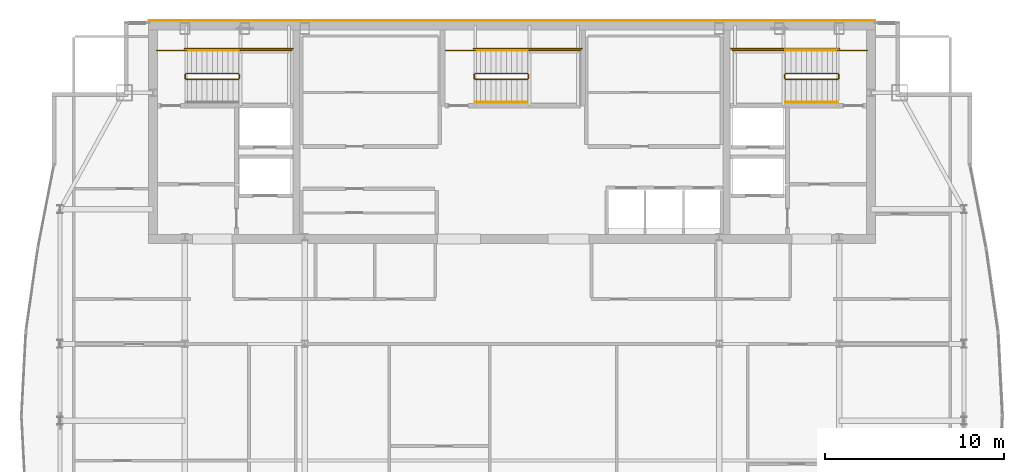
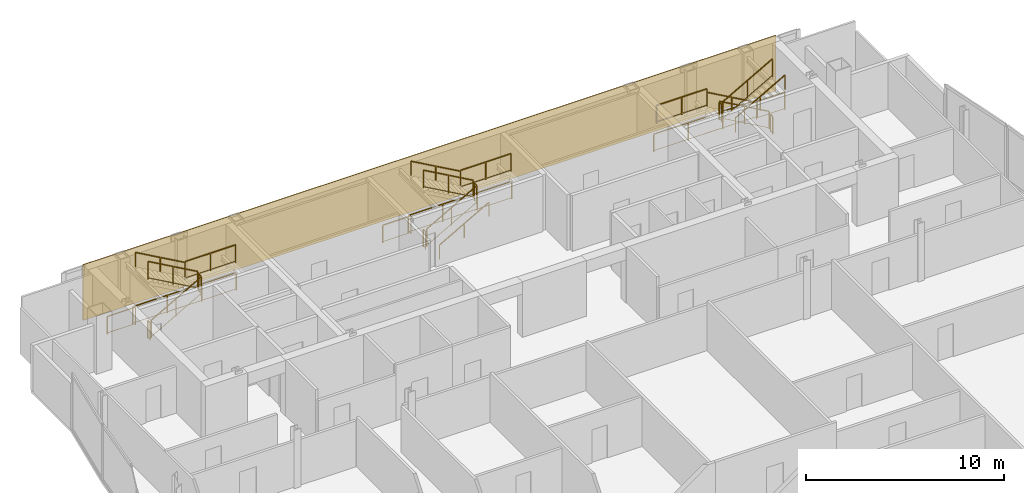
# One storey, part 27 of 27: 26 railings, 1 covering.
"""IFC4 building model written with IfcOpenShell, lengths in metres."""

from ifc_helpers import new_model, si_unit, direction, frame, origin, origin_2d, place, context, subcontext, project, spatial, polyline, rectangle, outline, extrude, material, layer, layer_set, type_object, element, save


model = new_model("IFC4")

# Units and contexts
model_context = context("Model", 3, precision=1e-05, world=origin(), true_north=direction((0.0, 1.0)))
body_context = subcontext(model_context, "Body", "Model", "MODEL_VIEW")
ifc_project = project(units=[si_unit("LENGTHUNIT", "METRE"), si_unit("AREAUNIT", "SQUARE_METRE"), si_unit("VOLUMEUNIT", "CUBIC_METRE"), si_unit("PLANEANGLEUNIT", "RADIAN"), si_unit("MASSUNIT", "GRAM", prefix="KILO")], contexts=[model_context])

# Site, building, storey
site_placement = place(None, origin())
site = spatial("IfcSite", under=ifc_project, at=site_placement, CompositionType="ELEMENT")
building_placement = place(site_placement, origin())
building = spatial("IfcBuilding", under=site, at=building_placement, Name="Khoronbel Lancet Exchange", CompositionType="ELEMENT")
storey_placement = place(building_placement, frame((0.0, 0.0, 332.60009765625)))
storey = spatial("IfcBuildingStorey", under=building, at=storey_placement, Name="L86", CompositionType="ELEMENT", Elevation=332.60009765625)

# Covering
ifc_material_1 = material(Name="Honed Egyptian Limestone & Bronze Rainscreen", Category="masonry")
ifc_layer = layer(ifc_material_1, 0.050048828125, Name="Honed Egyptian Limestone & Bronze Rainscreen")
ifc_layer_set = layer_set([ifc_layer], Name="Honed Egyptian Limestone & Bronze Rainscreen")
covering_type = type_object("IfcCoveringType", Name="COV-CLAD1", PredefinedType="CLADDING", material=ifc_layer_set)
covering_placement = place(storey_placement, origin())
element("IfcCovering", 1, at=covering_placement, inside=storey, type_object=covering_type, Name="Level L86 north rear-core stone and bronze rainscreen cladding", PredefinedType="CLADDING", context=body_context, shape_type="SweptSolid", body=[
    extrude(outline(polyline([(16.199951171875, 53.699951171875), (56.699951171875, 53.699951171875), (56.699951171875, 53.75), (16.199951171875, 53.75), (16.199951171875, 53.699951171875)])), origin(), (0.0, 0.0, 1.0), 3.43994140625),
])

# Railings
ifc_material_2 = material(Name="Painted Steel Balustrade", Category="steel")
railing_type_1 = type_object("IfcRailingType", Name="RL-STG110", PredefinedType="GUARDRAIL", material=ifc_material_2)
railing_1_placement = place(storey_placement, frame((18.300048828125, 50.449951171875, 0.16357421875)))
element("IfcRailing", 2, at=railing_1_placement, inside=storey, type_object=railing_type_1, Name="L86 ST1 stair guard 1", PredefinedType="GUARDRAIL", context=body_context, shape_type="SweptSolid", body=[
    extrude(rectangle(XDim=0.048095703125, YDim=0.048095703125, at=origin_2d()), frame((0.0, 0.0, 1.09619140625), z_axis=(0.870928581787, 0.0, 0.491409610636), x_axis=(0.0, 1.0, 0.0)), (0.0, 0.0, 1.0), 3.32958984375),
    extrude(rectangle(XDim=0.02392578125, YDim=0.02392578125, at=origin_2d()), frame((0.0, 0.0, 0.080078125), z_axis=(0.870928581787, 0.0, 0.491409610636), x_axis=(0.0, 1.0, 0.0)), (0.0, 0.0, 1.0), 3.32958984375),
    extrude(rectangle(XDim=0.0419921875, YDim=0.0419921875, at=origin_2d()), origin(), (0.0, 0.0, 1.0), 1.072021484375),
    extrude(rectangle(XDim=0.0419921875, YDim=0.0419921875, at=origin_2d()), frame((1.449951171875, 0.0, 0.818115234375)), (0.0, 0.0, 1.0), 1.072021484375),
    extrude(rectangle(XDim=0.0419921875, YDim=0.0419921875, at=origin_2d()), frame((2.89990234375, 0.0, 1.63623046875)), (0.0, 0.0, 1.0), 1.072021484375),
])
railing_2_placement = place(storey_placement, frame((21.25, 50.5, 1.7998046875)))
element("IfcRailing", 3, at=railing_2_placement, inside=storey, type_object=railing_type_1, Name="L86 ST1 stair guard 2", PredefinedType="GUARDRAIL", context=body_context, shape_type="SweptSolid", body=[
    extrude(rectangle(XDim=0.048095703125, YDim=0.048095703125, at=origin_2d()), frame((0.0, 0.0, 1.09619140625), z_axis=(0.0, 1.0, 0.0), x_axis=(-1.0, 0.0, 0.0)), (0.0, 0.0, 1.0), 0.219970703125),
    extrude(rectangle(XDim=0.02392578125, YDim=0.02392578125, at=origin_2d()), frame((0.0, 0.0, 0.080078125), z_axis=(0.0, 1.0, 0.0), x_axis=(-1.0, 0.0, 0.0)), (0.0, 0.0, 1.0), 0.219970703125),
    extrude(rectangle(XDim=0.0419921875, YDim=0.0419921875, at=origin_2d()), origin(), (0.0, 0.0, 1.0), 1.072021484375),
    extrude(rectangle(XDim=0.0419921875, YDim=0.0419921875, at=origin_2d()), frame((0.0, 0.219970703125, 0.0)), (0.0, 0.0, 1.0), 1.072021484375),
])
railing_3_placement = place(storey_placement, frame((21.199951171875, 52.050048828125, 1.7998046875)))
element("IfcRailing", 4, at=railing_3_placement, inside=storey, type_object=railing_type_1, Name="L86 ST1 stair guard 3", PredefinedType="GUARDRAIL", context=body_context, shape_type="SweptSolid", body=[
    extrude(rectangle(XDim=0.048095703125, YDim=0.048095703125, at=origin_2d()), frame((0.0, 0.0, 1.09619140625), z_axis=(1.0, 0.0, 0.0), x_axis=(0.0, 1.0, 0.0)), (0.0, 0.0, 1.0), 2.949951171875),
    extrude(rectangle(XDim=0.02392578125, YDim=0.02392578125, at=origin_2d()), frame((0.0, 0.0, 0.080078125), z_axis=(1.0, 0.0, 0.0), x_axis=(0.0, 1.0, 0.0)), (0.0, 0.0, 1.0), 2.949951171875),
    extrude(rectangle(XDim=0.0419921875, YDim=0.0419921875, at=origin_2d()), origin(), (0.0, 0.0, 1.0), 1.072021484375),
    extrude(rectangle(XDim=0.0419921875, YDim=0.0419921875, at=origin_2d()), frame((1.47509765625, 0.0, 0.0)), (0.0, 0.0, 1.0), 1.072021484375),
    extrude(rectangle(XDim=0.0419921875, YDim=0.0419921875, at=origin_2d()), frame((2.949951171875, 0.0, 0.0)), (0.0, 0.0, 1.0), 1.072021484375),
])
railing_4_placement = place(storey_placement, frame((21.199951171875, 50.77001953125, 1.963623046875)))
element("IfcRailing", 5, at=railing_4_placement, inside=storey, type_object=railing_type_1, Name="L86 ST1 stair guard 4", PredefinedType="GUARDRAIL", context=body_context, shape_type="SweptSolid", body=[
    extrude(rectangle(XDim=0.048095703125, YDim=0.048095703125, at=origin_2d()), frame((0.0, 0.0, 1.09619140625), z_axis=(-0.870928581787, 0.0, 0.491409610636), x_axis=(0.0, -1.0, 0.0)), (0.0, 0.0, 1.0), 3.32958984375),
    extrude(rectangle(XDim=0.02392578125, YDim=0.02392578125, at=origin_2d()), frame((0.0, 0.0, 0.080078125), z_axis=(-0.870928581787, 0.0, 0.491409610636), x_axis=(0.0, -1.0, 0.0)), (0.0, 0.0, 1.0), 3.32958984375),
    extrude(rectangle(XDim=0.0419921875, YDim=0.0419921875, at=origin_2d()), origin(), (0.0, 0.0, 1.0), 1.072021484375),
    extrude(rectangle(XDim=0.0419921875, YDim=0.0419921875, at=origin_2d()), frame((-1.449951171875, 0.0, 0.818115234375)), (0.0, 0.0, 1.0), 1.072021484375),
    extrude(rectangle(XDim=0.0419921875, YDim=0.0419921875, at=origin_2d()), frame((-2.89990234375, 0.0, 1.63623046875)), (0.0, 0.0, 1.0), 1.072021484375),
])
railing_5_placement = place(storey_placement, frame((18.25, 50.5, 0.0)))
element("IfcRailing", 6, at=railing_5_placement, inside=storey, type_object=railing_type_1, Name="L86 ST1 stair guard 5", PredefinedType="GUARDRAIL", context=body_context, shape_type="SweptSolid", body=[
    extrude(rectangle(XDim=0.048095703125, YDim=0.048095703125, at=origin_2d()), frame((0.0, 0.0, 1.09619140625), z_axis=(0.0, 1.0, 0.0), x_axis=(-1.0, 0.0, 0.0)), (0.0, 0.0, 1.0), 0.219970703125),
    extrude(rectangle(XDim=0.02392578125, YDim=0.02392578125, at=origin_2d()), frame((0.0, 0.0, 0.080078125), z_axis=(0.0, 1.0, 0.0), x_axis=(-1.0, 0.0, 0.0)), (0.0, 0.0, 1.0), 0.219970703125),
    extrude(rectangle(XDim=0.0419921875, YDim=0.0419921875, at=origin_2d()), origin(), (0.0, 0.0, 1.0), 1.072021484375),
    extrude(rectangle(XDim=0.0419921875, YDim=0.0419921875, at=origin_2d()), frame((0.0, 0.219970703125, 0.0)), (0.0, 0.0, 1.0), 1.072021484375),
])
railing_6_placement = place(storey_placement, frame((16.64990234375, 52.050048828125, 0.0)))
element("IfcRailing", 7, at=railing_6_placement, inside=storey, type_object=railing_type_1, Name="L86 ST1 stair guard 6", PredefinedType="GUARDRAIL", context=body_context, shape_type="SweptSolid", body=[
    extrude(rectangle(XDim=0.048095703125, YDim=0.048095703125, at=origin_2d()), frame((0.0, 0.0, 1.09619140625), z_axis=(1.0, 0.0, 0.0), x_axis=(0.0, 1.0, 0.0)), (0.0, 0.0, 1.0), 1.650146484375),
    extrude(rectangle(XDim=0.02392578125, YDim=0.02392578125, at=origin_2d()), frame((0.0, 0.0, 0.080078125), z_axis=(1.0, 0.0, 0.0), x_axis=(0.0, 1.0, 0.0)), (0.0, 0.0, 1.0), 1.650146484375),
    extrude(rectangle(XDim=0.0419921875, YDim=0.0419921875, at=origin_2d()), origin(), (0.0, 0.0, 1.0), 1.072021484375),
    extrude(rectangle(XDim=0.0419921875, YDim=0.0419921875, at=origin_2d()), frame((1.650146484375, 0.0, 0.0)), (0.0, 0.0, 1.0), 1.072021484375),
])
railing_7_placement = place(storey_placement, frame((18.199951171875, 52.14990234375, 0.0)))
element("IfcRailing", 8, at=railing_7_placement, inside=storey, type_object=railing_type_1, Name="L86 ST1 stair guard 7", PredefinedType="GUARDRAIL", context=body_context, shape_type="SweptSolid", body=[
    extrude(rectangle(XDim=0.048095703125, YDim=0.048095703125, at=origin_2d()), frame((0.0, 0.0, 1.09619140625), z_axis=(1.0, 0.0, 0.0), x_axis=(0.0, 1.0, 0.0)), (0.0, 0.0, 1.0), 6.050048828125),
    extrude(rectangle(XDim=0.02392578125, YDim=0.02392578125, at=origin_2d()), frame((0.0, 0.0, 0.080078125), z_axis=(1.0, 0.0, 0.0), x_axis=(0.0, 1.0, 0.0)), (0.0, 0.0, 1.0), 6.050048828125),
    extrude(rectangle(XDim=0.0419921875, YDim=0.0419921875, at=origin_2d()), origin(), (0.0, 0.0, 1.0), 1.072021484375),
    extrude(rectangle(XDim=0.0419921875, YDim=0.0419921875, at=origin_2d()), frame((2.0166015625, 0.0, 0.0)), (0.0, 0.0, 1.0), 1.072021484375),
    extrude(rectangle(XDim=0.0419921875, YDim=0.0419921875, at=origin_2d()), frame((4.033447265625, 0.0, 0.0)), (0.0, 0.0, 1.0), 1.072021484375),
    extrude(rectangle(XDim=0.0419921875, YDim=0.0419921875, at=origin_2d()), frame((6.050048828125, 0.0, 0.0)), (0.0, 0.0, 1.0), 1.072021484375),
])
railing_8_placement = place(storey_placement, frame((54.60009765625, 50.77001953125, 0.16357421875)))
element("IfcRailing", 9, at=railing_8_placement, inside=storey, type_object=railing_type_1, Name="L86 ST2 stair guard 1", PredefinedType="GUARDRAIL", context=body_context, shape_type="SweptSolid", body=[
    extrude(rectangle(XDim=0.048095703125, YDim=0.048095703125, at=origin_2d()), frame((0.0, 0.0, 1.09619140625), z_axis=(-0.870946286338, 0.0, 0.49137823142), x_axis=(0.0, -1.0, 0.0)), (0.0, 0.0, 1.0), 3.329833984375),
    extrude(rectangle(XDim=0.02392578125, YDim=0.02392578125, at=origin_2d()), frame((0.0, 0.0, 0.080078125), z_axis=(-0.870946286338, 0.0, 0.49137823142), x_axis=(0.0, -1.0, 0.0)), (0.0, 0.0, 1.0), 3.329833984375),
    extrude(rectangle(XDim=0.0419921875, YDim=0.0419921875, at=origin_2d()), origin(), (0.0, 0.0, 1.0), 1.072021484375),
    extrude(rectangle(XDim=0.0419921875, YDim=0.0419921875, at=origin_2d()), frame((-1.4501953125, 0.0, 0.818115234375)), (0.0, 0.0, 1.0), 1.072021484375),
    extrude(rectangle(XDim=0.0419921875, YDim=0.0419921875, at=origin_2d()), frame((-2.900146484375, 0.0, 1.63623046875)), (0.0, 0.0, 1.0), 1.072021484375),
])
railing_9_placement = place(storey_placement, frame((51.64990234375, 50.719970703125, 1.7998046875)))
element("IfcRailing", 10, at=railing_9_placement, inside=storey, type_object=railing_type_1, Name="L86 ST2 stair guard 2", PredefinedType="GUARDRAIL", context=body_context, shape_type="SweptSolid", body=[
    extrude(rectangle(XDim=0.048095703125, YDim=0.048095703125, at=origin_2d()), frame((0.0, 0.0, 1.09619140625), z_axis=(0.0, -1.0, 0.0), x_axis=(1.0, 0.0, 0.0)), (0.0, 0.0, 1.0), 0.219970703125),
    extrude(rectangle(XDim=0.02392578125, YDim=0.02392578125, at=origin_2d()), frame((0.0, 0.0, 0.080078125), z_axis=(0.0, -1.0, 0.0), x_axis=(1.0, 0.0, 0.0)), (0.0, 0.0, 1.0), 0.219970703125),
    extrude(rectangle(XDim=0.0419921875, YDim=0.0419921875, at=origin_2d()), origin(), (0.0, 0.0, 1.0), 1.072021484375),
    extrude(rectangle(XDim=0.0419921875, YDim=0.0419921875, at=origin_2d()), frame((0.0, -0.219970703125, 0.0)), (0.0, 0.0, 1.0), 1.072021484375),
])
railing_10_placement = place(storey_placement, frame((51.699951171875, 52.050048828125, 1.7998046875)))
element("IfcRailing", 11, at=railing_10_placement, inside=storey, type_object=railing_type_1, Name="L86 ST2 stair guard 3", PredefinedType="GUARDRAIL", context=body_context, shape_type="SweptSolid", body=[
    extrude(rectangle(XDim=0.048095703125, YDim=0.048095703125, at=origin_2d()), frame((0.0, 0.0, 1.09619140625), z_axis=(-1.0, 0.0, 0.0), x_axis=(0.0, -1.0, 0.0)), (0.0, 0.0, 1.0), 2.949951171875),
    extrude(rectangle(XDim=0.02392578125, YDim=0.02392578125, at=origin_2d()), frame((0.0, 0.0, 0.080078125), z_axis=(-1.0, 0.0, 0.0), x_axis=(0.0, -1.0, 0.0)), (0.0, 0.0, 1.0), 2.949951171875),
    extrude(rectangle(XDim=0.0419921875, YDim=0.0419921875, at=origin_2d()), origin(), (0.0, 0.0, 1.0), 1.072021484375),
    extrude(rectangle(XDim=0.0419921875, YDim=0.0419921875, at=origin_2d()), frame((-1.47509765625, 0.0, 0.0)), (0.0, 0.0, 1.0), 1.072021484375),
    extrude(rectangle(XDim=0.0419921875, YDim=0.0419921875, at=origin_2d()), frame((-2.949951171875, 0.0, 0.0)), (0.0, 0.0, 1.0), 1.072021484375),
])
railing_11_placement = place(storey_placement, frame((51.699951171875, 50.449951171875, 1.963623046875)))
element("IfcRailing", 12, at=railing_11_placement, inside=storey, type_object=railing_type_1, Name="L86 ST2 stair guard 4", PredefinedType="GUARDRAIL", context=body_context, shape_type="SweptSolid", body=[
    extrude(rectangle(XDim=0.048095703125, YDim=0.048095703125, at=origin_2d()), frame((0.0, 0.0, 1.09619140625), z_axis=(0.870946286338, 0.0, 0.49137823142), x_axis=(0.0, 1.0, 0.0)), (0.0, 0.0, 1.0), 3.329833984375),
    extrude(rectangle(XDim=0.02392578125, YDim=0.02392578125, at=origin_2d()), frame((0.0, 0.0, 0.080078125), z_axis=(0.870946286338, 0.0, 0.49137823142), x_axis=(0.0, 1.0, 0.0)), (0.0, 0.0, 1.0), 3.329833984375),
    extrude(rectangle(XDim=0.0419921875, YDim=0.0419921875, at=origin_2d()), origin(), (0.0, 0.0, 1.0), 1.072021484375),
    extrude(rectangle(XDim=0.0419921875, YDim=0.0419921875, at=origin_2d()), frame((1.4501953125, 0.0, 0.818115234375)), (0.0, 0.0, 1.0), 1.072021484375),
    extrude(rectangle(XDim=0.0419921875, YDim=0.0419921875, at=origin_2d()), frame((2.900146484375, 0.0, 1.63623046875)), (0.0, 0.0, 1.0), 1.072021484375),
])
railing_12_placement = place(storey_placement, frame((54.64990234375, 50.719970703125, 0.0)))
element("IfcRailing", 13, at=railing_12_placement, inside=storey, type_object=railing_type_1, Name="L86 ST2 stair guard 5", PredefinedType="GUARDRAIL", context=body_context, shape_type="SweptSolid", body=[
    extrude(rectangle(XDim=0.048095703125, YDim=0.048095703125, at=origin_2d()), frame((0.0, 0.0, 1.09619140625), z_axis=(0.0, -1.0, 0.0), x_axis=(1.0, 0.0, 0.0)), (0.0, 0.0, 1.0), 0.219970703125),
    extrude(rectangle(XDim=0.02392578125, YDim=0.02392578125, at=origin_2d()), frame((0.0, 0.0, 0.080078125), z_axis=(0.0, -1.0, 0.0), x_axis=(1.0, 0.0, 0.0)), (0.0, 0.0, 1.0), 0.219970703125),
    extrude(rectangle(XDim=0.0419921875, YDim=0.0419921875, at=origin_2d()), origin(), (0.0, 0.0, 1.0), 1.072021484375),
    extrude(rectangle(XDim=0.0419921875, YDim=0.0419921875, at=origin_2d()), frame((0.0, -0.219970703125, 0.0)), (0.0, 0.0, 1.0), 1.072021484375),
])
railing_13_placement = place(storey_placement, frame((56.25, 52.050048828125, 0.0)))
element("IfcRailing", 14, at=railing_13_placement, inside=storey, type_object=railing_type_1, Name="L86 ST2 stair guard 6", PredefinedType="GUARDRAIL", context=body_context, shape_type="SweptSolid", body=[
    extrude(rectangle(XDim=0.048095703125, YDim=0.048095703125, at=origin_2d()), frame((0.0, 0.0, 1.09619140625), z_axis=(-1.0, 0.0, 0.0), x_axis=(0.0, -1.0, 0.0)), (0.0, 0.0, 1.0), 1.64990234375),
    extrude(rectangle(XDim=0.02392578125, YDim=0.02392578125, at=origin_2d()), frame((0.0, 0.0, 0.080078125), z_axis=(-1.0, 0.0, 0.0), x_axis=(0.0, -1.0, 0.0)), (0.0, 0.0, 1.0), 1.64990234375),
    extrude(rectangle(XDim=0.0419921875, YDim=0.0419921875, at=origin_2d()), origin(), (0.0, 0.0, 1.0), 1.072021484375),
    extrude(rectangle(XDim=0.0419921875, YDim=0.0419921875, at=origin_2d()), frame((-1.64990234375, 0.0, 0.0)), (0.0, 0.0, 1.0), 1.072021484375),
])
railing_14_placement = place(storey_placement, frame((54.699951171875, 52.14990234375, 0.0)))
element("IfcRailing", 15, at=railing_14_placement, inside=storey, type_object=railing_type_1, Name="L86 ST2 stair guard 7", PredefinedType="GUARDRAIL", context=body_context, shape_type="SweptSolid", body=[
    extrude(rectangle(XDim=0.048095703125, YDim=0.048095703125, at=origin_2d()), frame((0.0, 0.0, 1.09619140625), z_axis=(-1.0, 0.0, 0.0), x_axis=(0.0, -1.0, 0.0)), (0.0, 0.0, 1.0), 6.050048828125),
    extrude(rectangle(XDim=0.02392578125, YDim=0.02392578125, at=origin_2d()), frame((0.0, 0.0, 0.080078125), z_axis=(-1.0, 0.0, 0.0), x_axis=(0.0, -1.0, 0.0)), (0.0, 0.0, 1.0), 6.050048828125),
    extrude(rectangle(XDim=0.0419921875, YDim=0.0419921875, at=origin_2d()), origin(), (0.0, 0.0, 1.0), 1.072021484375),
    extrude(rectangle(XDim=0.0419921875, YDim=0.0419921875, at=origin_2d()), frame((-2.0166015625, 0.0, 0.0)), (0.0, 0.0, 1.0), 1.072021484375),
    extrude(rectangle(XDim=0.0419921875, YDim=0.0419921875, at=origin_2d()), frame((-4.033447265625, 0.0, 0.0)), (0.0, 0.0, 1.0), 1.072021484375),
    extrude(rectangle(XDim=0.0419921875, YDim=0.0419921875, at=origin_2d()), frame((-6.050048828125, 0.0, 0.0)), (0.0, 0.0, 1.0), 1.072021484375),
])
railing_15_placement = place(storey_placement, frame((34.39990234375, 50.449951171875, 0.16357421875)))
element("IfcRailing", 16, at=railing_15_placement, inside=storey, type_object=railing_type_1, Name="L86 ST3 stair guard 1", PredefinedType="GUARDRAIL", context=body_context, shape_type="SweptSolid", body=[
    extrude(rectangle(XDim=0.048095703125, YDim=0.048095703125, at=origin_2d()), frame((0.0, 0.0, 1.09619140625), z_axis=(0.870946286338, 0.0, 0.49137823142), x_axis=(0.0, 1.0, 0.0)), (0.0, 0.0, 1.0), 3.329833984375),
    extrude(rectangle(XDim=0.02392578125, YDim=0.02392578125, at=origin_2d()), frame((0.0, 0.0, 0.080078125), z_axis=(0.870946286338, 0.0, 0.49137823142), x_axis=(0.0, 1.0, 0.0)), (0.0, 0.0, 1.0), 3.329833984375),
    extrude(rectangle(XDim=0.0419921875, YDim=0.0419921875, at=origin_2d()), origin(), (0.0, 0.0, 1.0), 1.072021484375),
    extrude(rectangle(XDim=0.0419921875, YDim=0.0419921875, at=origin_2d()), frame((1.4501953125, 0.0, 0.818115234375)), (0.0, 0.0, 1.0), 1.072021484375),
    extrude(rectangle(XDim=0.0419921875, YDim=0.0419921875, at=origin_2d()), frame((2.900146484375, 0.0, 1.63623046875)), (0.0, 0.0, 1.0), 1.072021484375),
])
railing_16_placement = place(storey_placement, frame((37.35009765625, 50.5, 1.7998046875)))
element("IfcRailing", 17, at=railing_16_placement, inside=storey, type_object=railing_type_1, Name="L86 ST3 stair guard 2", PredefinedType="GUARDRAIL", context=body_context, shape_type="SweptSolid", body=[
    extrude(rectangle(XDim=0.048095703125, YDim=0.048095703125, at=origin_2d()), frame((0.0, 0.0, 1.09619140625), z_axis=(0.0, 1.0, 0.0), x_axis=(-1.0, 0.0, 0.0)), (0.0, 0.0, 1.0), 0.219970703125),
    extrude(rectangle(XDim=0.02392578125, YDim=0.02392578125, at=origin_2d()), frame((0.0, 0.0, 0.080078125), z_axis=(0.0, 1.0, 0.0), x_axis=(-1.0, 0.0, 0.0)), (0.0, 0.0, 1.0), 0.219970703125),
    extrude(rectangle(XDim=0.0419921875, YDim=0.0419921875, at=origin_2d()), origin(), (0.0, 0.0, 1.0), 1.072021484375),
    extrude(rectangle(XDim=0.0419921875, YDim=0.0419921875, at=origin_2d()), frame((0.0, 0.219970703125, 0.0)), (0.0, 0.0, 1.0), 1.072021484375),
])
railing_17_placement = place(storey_placement, frame((37.300048828125, 52.050048828125, 1.7998046875)))
element("IfcRailing", 18, at=railing_17_placement, inside=storey, type_object=railing_type_1, Name="L86 ST3 stair guard 3", PredefinedType="GUARDRAIL", context=body_context, shape_type="SweptSolid", body=[
    extrude(rectangle(XDim=0.048095703125, YDim=0.048095703125, at=origin_2d()), frame((0.0, 0.0, 1.09619140625), z_axis=(1.0, 0.0, 0.0), x_axis=(0.0, 1.0, 0.0)), (0.0, 0.0, 1.0), 2.949951171875),
    extrude(rectangle(XDim=0.02392578125, YDim=0.02392578125, at=origin_2d()), frame((0.0, 0.0, 0.080078125), z_axis=(1.0, 0.0, 0.0), x_axis=(0.0, 1.0, 0.0)), (0.0, 0.0, 1.0), 2.949951171875),
    extrude(rectangle(XDim=0.0419921875, YDim=0.0419921875, at=origin_2d()), origin(), (0.0, 0.0, 1.0), 1.072021484375),
    extrude(rectangle(XDim=0.0419921875, YDim=0.0419921875, at=origin_2d()), frame((1.47509765625, 0.0, 0.0)), (0.0, 0.0, 1.0), 1.072021484375),
    extrude(rectangle(XDim=0.0419921875, YDim=0.0419921875, at=origin_2d()), frame((2.949951171875, 0.0, 0.0)), (0.0, 0.0, 1.0), 1.072021484375),
])
railing_18_placement = place(storey_placement, frame((37.300048828125, 50.77001953125, 1.963623046875)))
element("IfcRailing", 19, at=railing_18_placement, inside=storey, type_object=railing_type_1, Name="L86 ST3 stair guard 4", PredefinedType="GUARDRAIL", context=body_context, shape_type="SweptSolid", body=[
    extrude(rectangle(XDim=0.048095703125, YDim=0.048095703125, at=origin_2d()), frame((0.0, 0.0, 1.09619140625), z_axis=(-0.870946286338, 0.0, 0.49137823142), x_axis=(0.0, -1.0, 0.0)), (0.0, 0.0, 1.0), 3.329833984375),
    extrude(rectangle(XDim=0.02392578125, YDim=0.02392578125, at=origin_2d()), frame((0.0, 0.0, 0.080078125), z_axis=(-0.870946286338, 0.0, 0.49137823142), x_axis=(0.0, -1.0, 0.0)), (0.0, 0.0, 1.0), 3.329833984375),
    extrude(rectangle(XDim=0.0419921875, YDim=0.0419921875, at=origin_2d()), origin(), (0.0, 0.0, 1.0), 1.072021484375),
    extrude(rectangle(XDim=0.0419921875, YDim=0.0419921875, at=origin_2d()), frame((-1.4501953125, 0.0, 0.818115234375)), (0.0, 0.0, 1.0), 1.072021484375),
    extrude(rectangle(XDim=0.0419921875, YDim=0.0419921875, at=origin_2d()), frame((-2.900146484375, 0.0, 1.63623046875)), (0.0, 0.0, 1.0), 1.072021484375),
])
railing_19_placement = place(storey_placement, frame((34.35009765625, 50.5, 0.0)))
element("IfcRailing", 20, at=railing_19_placement, inside=storey, type_object=railing_type_1, Name="L86 ST3 stair guard 5", PredefinedType="GUARDRAIL", context=body_context, shape_type="SweptSolid", body=[
    extrude(rectangle(XDim=0.048095703125, YDim=0.048095703125, at=origin_2d()), frame((0.0, 0.0, 1.09619140625), z_axis=(0.0, 1.0, 0.0), x_axis=(-1.0, 0.0, 0.0)), (0.0, 0.0, 1.0), 0.219970703125),
    extrude(rectangle(XDim=0.02392578125, YDim=0.02392578125, at=origin_2d()), frame((0.0, 0.0, 0.080078125), z_axis=(0.0, 1.0, 0.0), x_axis=(-1.0, 0.0, 0.0)), (0.0, 0.0, 1.0), 0.219970703125),
    extrude(rectangle(XDim=0.0419921875, YDim=0.0419921875, at=origin_2d()), origin(), (0.0, 0.0, 1.0), 1.072021484375),
    extrude(rectangle(XDim=0.0419921875, YDim=0.0419921875, at=origin_2d()), frame((0.0, 0.219970703125, 0.0)), (0.0, 0.0, 1.0), 1.072021484375),
])
railing_20_placement = place(storey_placement, frame((32.75, 52.050048828125, 0.0)))
element("IfcRailing", 21, at=railing_20_placement, inside=storey, type_object=railing_type_1, Name="L86 ST3 stair guard 6", PredefinedType="GUARDRAIL", context=body_context, shape_type="SweptSolid", body=[
    extrude(rectangle(XDim=0.048095703125, YDim=0.048095703125, at=origin_2d()), frame((0.0, 0.0, 1.09619140625), z_axis=(1.0, 0.0, 0.0), x_axis=(0.0, 1.0, 0.0)), (0.0, 0.0, 1.0), 1.64990234375),
    extrude(rectangle(XDim=0.02392578125, YDim=0.02392578125, at=origin_2d()), frame((0.0, 0.0, 0.080078125), z_axis=(1.0, 0.0, 0.0), x_axis=(0.0, 1.0, 0.0)), (0.0, 0.0, 1.0), 1.64990234375),
    extrude(rectangle(XDim=0.0419921875, YDim=0.0419921875, at=origin_2d()), origin(), (0.0, 0.0, 1.0), 1.072021484375),
    extrude(rectangle(XDim=0.0419921875, YDim=0.0419921875, at=origin_2d()), frame((1.64990234375, 0.0, 0.0)), (0.0, 0.0, 1.0), 1.072021484375),
])
railing_21_placement = place(storey_placement, frame((34.300048828125, 52.14990234375, 0.0)))
element("IfcRailing", 22, at=railing_21_placement, inside=storey, type_object=railing_type_1, Name="L86 ST3 stair guard 7", PredefinedType="GUARDRAIL", context=body_context, shape_type="SweptSolid", body=[
    extrude(rectangle(XDim=0.048095703125, YDim=0.048095703125, at=origin_2d()), frame((0.0, 0.0, 1.09619140625), z_axis=(1.0, 0.0, 0.0), x_axis=(0.0, 1.0, 0.0)), (0.0, 0.0, 1.0), 6.050048828125),
    extrude(rectangle(XDim=0.02392578125, YDim=0.02392578125, at=origin_2d()), frame((0.0, 0.0, 0.080078125), z_axis=(1.0, 0.0, 0.0), x_axis=(0.0, 1.0, 0.0)), (0.0, 0.0, 1.0), 6.050048828125),
    extrude(rectangle(XDim=0.0419921875, YDim=0.0419921875, at=origin_2d()), origin(), (0.0, 0.0, 1.0), 1.072021484375),
    extrude(rectangle(XDim=0.0419921875, YDim=0.0419921875, at=origin_2d()), frame((2.0166015625, 0.0, 0.0)), (0.0, 0.0, 1.0), 1.072021484375),
    extrude(rectangle(XDim=0.0419921875, YDim=0.0419921875, at=origin_2d()), frame((4.033447265625, 0.0, 0.0)), (0.0, 0.0, 1.0), 1.072021484375),
    extrude(rectangle(XDim=0.0419921875, YDim=0.0419921875, at=origin_2d()), frame((6.050048828125, 0.0, 0.0)), (0.0, 0.0, 1.0), 1.072021484375),
])
ifc_material_3 = material(Name="Brushed Stainless Steel 316", Category="steel")
railing_type_2 = type_object("IfcRailingType", Name="RL-STH92", PredefinedType="HANDRAIL", material=ifc_material_3)
railing_22_placement = place(storey_placement, frame((21.199951171875, 52.050048828125, 1.963623046875)))
element("IfcRailing", 23, at=railing_22_placement, inside=storey, type_object=railing_type_2, Name="L86 ST1 stair handrail 2", PredefinedType="HANDRAIL", context=body_context, shape_type="SweptSolid", body=[
    extrude(rectangle(XDim=0.048095703125, YDim=0.048095703125, at=origin_2d()), frame((0.0, 0.0, 0.8759765625), z_axis=(-0.870928581787, 0.0, 0.491409610636), x_axis=(0.0, -1.0, 0.0)), (0.0, 0.0, 1.0), 3.32958984375),
    extrude(rectangle(XDim=0.0419921875, YDim=0.0419921875, at=origin_2d()), origin(), (0.0, 0.0, 1.0), 0.851806640625),
    extrude(rectangle(XDim=0.0419921875, YDim=0.0419921875, at=origin_2d()), frame((-1.449951171875, 0.0, 0.818115234375)), (0.0, 0.0, 1.0), 0.851806640625),
    extrude(rectangle(XDim=0.0419921875, YDim=0.0419921875, at=origin_2d()), frame((-2.89990234375, 0.0, 1.63623046875)), (0.0, 0.0, 1.0), 0.851806640625),
])
railing_23_placement = place(storey_placement, frame((54.60009765625, 52.050048828125, 0.16357421875)))
element("IfcRailing", 24, at=railing_23_placement, inside=storey, type_object=railing_type_2, Name="L86 ST2 stair handrail 1", PredefinedType="HANDRAIL", context=body_context, shape_type="SweptSolid", body=[
    extrude(rectangle(XDim=0.048095703125, YDim=0.048095703125, at=origin_2d()), frame((0.0, 0.0, 0.8759765625), z_axis=(-0.870946286338, 0.0, 0.49137823142), x_axis=(0.0, -1.0, 0.0)), (0.0, 0.0, 1.0), 3.329833984375),
    extrude(rectangle(XDim=0.0419921875, YDim=0.0419921875, at=origin_2d()), origin(), (0.0, 0.0, 1.0), 0.851806640625),
    extrude(rectangle(XDim=0.0419921875, YDim=0.0419921875, at=origin_2d()), frame((-1.4501953125, 0.0, 0.818115234375)), (0.0, 0.0, 1.0), 0.851806640625),
    extrude(rectangle(XDim=0.0419921875, YDim=0.0419921875, at=origin_2d()), frame((-2.900146484375, 0.0, 1.63623046875)), (0.0, 0.0, 1.0), 0.851806640625),
])
for number, where, name in (
    (25, (51.699951171875, 49.169921875, 1.963623046875), "L86 ST2 stair handrail 2"),
    (26, (34.39990234375, 49.169921875, 0.16357421875), "L86 ST3 stair handrail 1"),
):
    element("IfcRailing", number, at=place(storey_placement, frame(where)), inside=storey, type_object=railing_type_2, Name=name, PredefinedType="HANDRAIL", context=body_context, shape_type="SweptSolid", body=[
        extrude(rectangle(XDim=0.048095703125, YDim=0.048095703125, at=origin_2d()), frame((0.0, 0.0, 0.8759765625), z_axis=(0.870946286338, 0.0, 0.49137823142), x_axis=(0.0, 1.0, 0.0)), (0.0, 0.0, 1.0), 3.329833984375),
        extrude(rectangle(XDim=0.0419921875, YDim=0.0419921875, at=origin_2d()), origin(), (0.0, 0.0, 1.0), 0.851806640625),
        extrude(rectangle(XDim=0.0419921875, YDim=0.0419921875, at=origin_2d()), frame((1.4501953125, 0.0, 0.818115234375)), (0.0, 0.0, 1.0), 0.851806640625),
        extrude(rectangle(XDim=0.0419921875, YDim=0.0419921875, at=origin_2d()), frame((2.900146484375, 0.0, 1.63623046875)), (0.0, 0.0, 1.0), 0.851806640625),
    ])
railing_24_placement = place(storey_placement, frame((37.300048828125, 52.050048828125, 1.963623046875)))
element("IfcRailing", 27, at=railing_24_placement, inside=storey, type_object=railing_type_2, Name="L86 ST3 stair handrail 2", PredefinedType="HANDRAIL", context=body_context, shape_type="SweptSolid", body=[
    extrude(rectangle(XDim=0.048095703125, YDim=0.048095703125, at=origin_2d()), frame((0.0, 0.0, 0.8759765625), z_axis=(-0.870946286338, 0.0, 0.49137823142), x_axis=(0.0, -1.0, 0.0)), (0.0, 0.0, 1.0), 3.329833984375),
    extrude(rectangle(XDim=0.0419921875, YDim=0.0419921875, at=origin_2d()), origin(), (0.0, 0.0, 1.0), 0.851806640625),
    extrude(rectangle(XDim=0.0419921875, YDim=0.0419921875, at=origin_2d()), frame((-1.4501953125, 0.0, 0.818115234375)), (0.0, 0.0, 1.0), 0.851806640625),
    extrude(rectangle(XDim=0.0419921875, YDim=0.0419921875, at=origin_2d()), frame((-2.900146484375, 0.0, 1.63623046875)), (0.0, 0.0, 1.0), 0.851806640625),
])

save(model, "model.ifc")
